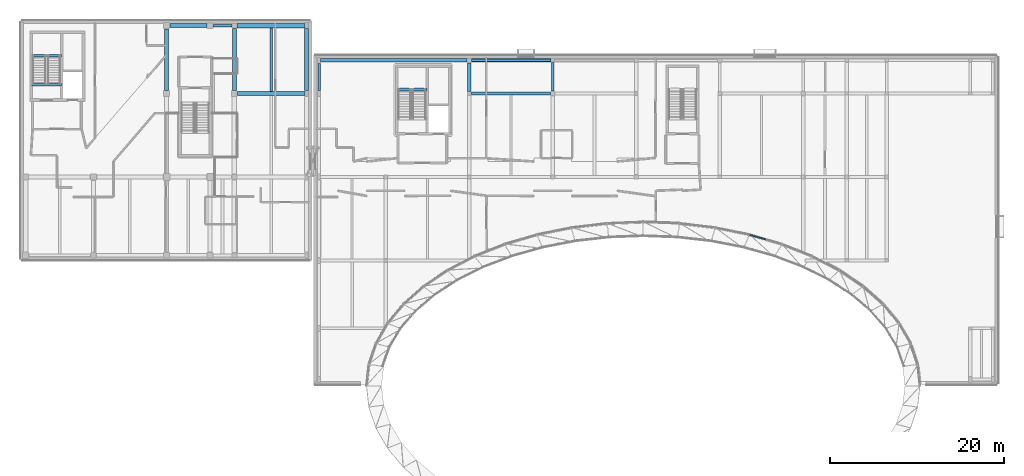
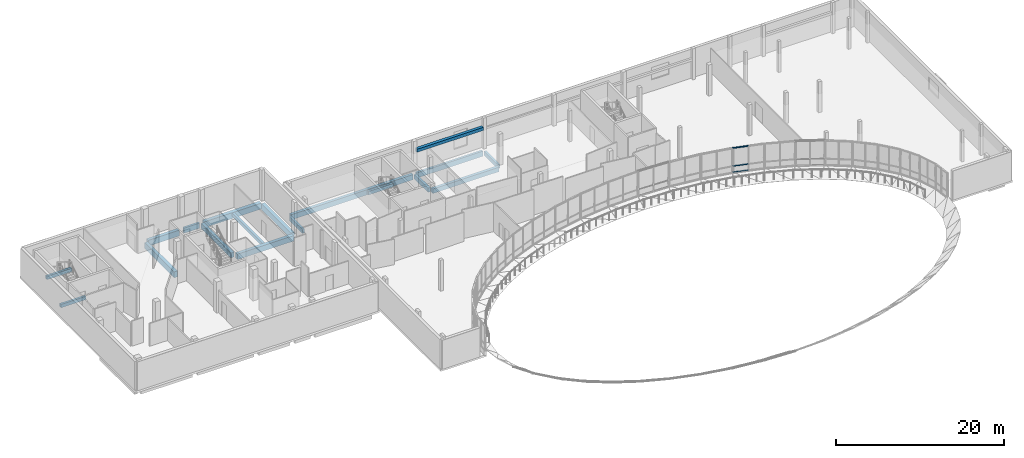
# One storey, part 12 of 41: 18 beams, 3 members, 1 element without a shape of its own.
"""IFC4 building model written with IfcOpenShell, lengths in metres."""

from ifc_helpers import new_model, si_unit, direction, frame, origin, origin_2d, place, context, subcontext, project, spatial, rectangle, extrude, material, material_profile, profile_set, type_object, element, aggregate, save


model = new_model("IFC4")

# Units and contexts
model_context = context("Model", 3, precision=1e-05, world=origin(), true_north=direction((0.0, 1.0)))
body_context = subcontext(model_context, "Body", "Model", "MODEL_VIEW")
ifc_project = project(units=[si_unit("LENGTHUNIT", "METRE"), si_unit("AREAUNIT", "SQUARE_METRE"), si_unit("VOLUMEUNIT", "CUBIC_METRE"), si_unit("PLANEANGLEUNIT", "RADIAN"), si_unit("MASSUNIT", "GRAM", prefix="KILO")], contexts=[model_context])

# Site, building, storey
site_placement = place(None, origin())
site = spatial("IfcSite", under=ifc_project, at=site_placement, CompositionType="ELEMENT")
building_placement = place(site_placement, origin())
building = spatial("IfcBuilding", under=site, at=building_placement, Name="Mzevani Central Library", CompositionType="ELEMENT")
storey_placement = place(building_placement, frame((0.0, 0.0, 13.800048828125)))
storey = spatial("IfcBuildingStorey", under=building, at=storey_placement, Name="L03", CompositionType="ELEMENT", Elevation=13.800048828125)

# Beams
ifc_material_1 = material(Name="Concrete C35/45", Category="concrete")
ifc_material_profile_1 = material_profile(ifc_material_1, rectangle(XDim=0.300048828125, YDim=0.5, at=origin_2d()), Name="RC B300x500")
ifc_profile_set_1 = profile_set([ifc_material_profile_1], Name="Concrete C35/45")
beam_type_1 = type_object("IfcBeamType", Name="Beam RC 300x500", PredefinedType="BEAM", material=ifc_profile_set_1)
for number, where, z_axis, x_axis, name in (
    (1, (13.679931640625, 113.9599609375, 1.800048828125), (1.0, 0.0, 0.0), (0.0, 1.0, 0.0), "L03 Core C2A North-West Firefighting Core Stair Landing Beam 1"),
    (2, (13.679931640625, 110.60009765625, -0.25), (1.0, 0.0, 0.0), (0.0, 1.0, 0.0), "L03 Core C2A North-West Firefighting Core Stair Opening Trimmer Beam"),
    (3, (55.679931640625, 110.06005859375, 1.800048828125), (1.0, 0.0, 0.0), (0.0, 1.0, 0.0), "L03 Core C3A North-East Firefighting Core Stair Landing Beam 1"),
):
    element("IfcBeam", number, at=place(storey_placement, frame(where, z_axis=z_axis, x_axis=x_axis)), inside=storey, type_object=beam_type_1, Name=name, PredefinedType="BEAM", context=body_context, shape_type="SweptSolid", body=[
        extrude(rectangle(XDim=0.300048828125, YDim=0.5, at=origin_2d()), origin(), (0.0, 0.0, 1.0), 3.440185546875),
    ])
ifc_material_profile_2 = material_profile(ifc_material_1, rectangle(XDim=0.300048828125, YDim=0.550048828125, at=origin_2d()), Name="RC B300x550")
ifc_profile_set_2 = profile_set([ifc_material_profile_2], Name="Concrete C35/45")
beam_type_2 = type_object("IfcBeamType", Name="Beam RC 300x550", PredefinedType="BEAM", material=ifc_profile_set_2)
beam_1_placement = place(storey_placement, frame((73.60009765625, 109.875, -0.554931640625), z_axis=(0.0, 1.0, 0.0), x_axis=(-1.0, 0.0, 0.0)))
element("IfcBeam", 4, at=beam_1_placement, inside=storey, type_object=beam_type_2, Name="L03 V3 Frame Beam B-02 (673)", PredefinedType="BEAM", context=body_context, shape_type="SweptSolid", body=[
    extrude(rectangle(XDim=0.300048828125, YDim=0.550048828125, at=origin_2d()), origin(), (0.0, 0.0, 1.0), 3.300048828125),
])
ifc_material_profile_3 = material_profile(ifc_material_1, rectangle(XDim=0.300048828125, YDim=0.60009765625, at=origin_2d()), Name="RC B300x600")
ifc_profile_set_3 = profile_set([ifc_material_profile_3], Name="Concrete C35/45")
beam_type_3 = type_object("IfcBeamType", Name="Beam RC 300x600", PredefinedType="BEAM", material=ifc_profile_set_3)
beam_2_placement = place(storey_placement, frame((46.75, 109.949951171875, -0.580078125), z_axis=(0.0, 1.0, 0.0), x_axis=(-1.0, 0.0, 0.0)))
element("IfcBeam", 5, at=beam_2_placement, inside=storey, type_object=beam_type_3, Name="L03 V3 Frame Beam B-03 (666)", PredefinedType="BEAM", context=body_context, shape_type="SweptSolid", body=[
    extrude(rectangle(XDim=0.300048828125, YDim=0.60009765625, at=origin_2d()), origin(), (0.0, 0.0, 1.0), 3.10009765625),
])
ifc_material_profile_4 = material_profile(ifc_material_1, rectangle(XDim=0.35009765625, YDim=0.60009765625, at=origin_2d()), Name="RC B350x600")
ifc_profile_set_4 = profile_set([ifc_material_profile_4], Name="Concrete C35/45")
beam_type_4 = type_object("IfcBeamType", Name="Beam RC 350x600", PredefinedType="BEAM", material=ifc_profile_set_4)
beam_3_placement = place(storey_placement, frame((64.0, 109.85009765625, -0.580078125), z_axis=(0.0, 1.0, 0.0), x_axis=(-1.0, 0.0, 0.0)))
element("IfcBeam", 6, at=beam_3_placement, inside=storey, type_object=beam_type_4, Name="L03 V3 Frame Beam B-04 (671)", PredefinedType="BEAM", context=body_context, shape_type="SweptSolid", body=[
    extrude(rectangle(XDim=0.35009765625, YDim=0.60009765625, at=origin_2d()), origin(), (0.0, 0.0, 1.0), 3.27490234375),
])
ifc_material_profile_5 = material_profile(ifc_material_1, rectangle(XDim=0.39990234375, YDim=0.64990234375, at=origin_2d()), Name="RC B400x650")
ifc_profile_set_5 = profile_set([ifc_material_profile_5], Name="Concrete C35/45")
beam_type_5 = type_object("IfcBeamType", Name="Beam RC 400x650", PredefinedType="BEAM", material=ifc_profile_set_5)
beam_4_placement = place(storey_placement, frame((64.25, 109.60009765625, -0.60498046875), z_axis=(1.0, 0.0, 0.0), x_axis=(0.0, 1.0, 0.0)))
element("IfcBeam", 7, at=beam_4_placement, inside=storey, type_object=beam_type_5, Name="L03 V3 Girder B-07 (646)", PredefinedType="BEAM", context=body_context, shape_type="SweptSolid", body=[
    extrude(rectangle(XDim=0.39990234375, YDim=0.64990234375, at=origin_2d()), origin(), (0.0, 0.0, 1.0), 9.074951171875),
])
ifc_material_profile_6 = material_profile(ifc_material_1, rectangle(XDim=0.39990234375, YDim=0.75, at=origin_2d()), Name="RC B400x750")
ifc_profile_set_6 = profile_set([ifc_material_profile_6], Name="Concrete C35/45")
beam_type_6 = type_object("IfcBeamType", Name="Beam RC 400x750", PredefinedType="BEAM", material=ifc_profile_set_6)
beam_5_placement = place(storey_placement, frame((46.925048828125, 113.39990234375, -0.655029296875), z_axis=(1.0, 0.0, 0.0), x_axis=(0.0, 1.0, 0.0)))
element("IfcBeam", 8, at=beam_5_placement, inside=storey, type_object=beam_type_6, Name="L03 V3 Girder B-09 (653)", PredefinedType="BEAM", context=body_context, shape_type="SweptSolid", body=[
    extrude(rectangle(XDim=0.39990234375, YDim=0.75, at=origin_2d()), origin(), (0.0, 0.0, 1.0), 16.800048828125),
])

# Curtain wall, members
ifc_material_2 = material(Name="Thermally broken aluminium and Low-E triple glazing", Category="aluminium")
curtain_wall_type = type_object("IfcCurtainWallType", Name="Elliptical Court Unitised Curtain Wall", PredefinedType="NOTDEFINED", material=ifc_material_2)
curtain_wall_placement = place(storey_placement, origin())
curtain_wall = element("IfcCurtainWall", 9, at=curtain_wall_placement, inside=storey, type_object=curtain_wall_type, Name="L03 Elliptical Court Curtain Wall 9", PredefinedType="NOTDEFINED")
ifc_material_3 = material(Name="Thermally broken aluminium AW-6060", Category="aluminium")
ifc_material_profile_7 = material_profile(ifc_material_3, rectangle(XDim=0.14990234375, YDim=0.06005859375, at=origin_2d()), Name="ALU T60x150")
ifc_profile_set_7 = profile_set([ifc_material_profile_7], Name="Thermally broken aluminium AW-6060")
member_type = type_object("IfcMemberType", Name="CW Transom 60x150", PredefinedType="USERDEFINED", material=ifc_profile_set_7)
member_1_placement = place(storey_placement, frame((98.087646484375, 92.82568359375, 0.719970703125), z_axis=(-0.960292683512, 0.278994555489, 0.0), x_axis=(-0.278994555489, -0.960292683512, 0.0)))
member_1 = element("IfcMember", 10, at=member_1_placement, type_object=member_type, Name="L03 Elliptical Court Curtain Wall 9 Transom 4", ObjectType="TRANSOM", PredefinedType="USERDEFINED", context=body_context, shape_type="SweptSolid", body=[
    extrude(rectangle(XDim=0.14990234375, YDim=0.06005859375, at=origin_2d()), origin(), (0.0, 0.0, 1.0), 1.930419921875),
])
member_2_placement = place(storey_placement, frame((98.087646484375, 92.82568359375, 1.619873046875), z_axis=(-0.960292683512, 0.278994555489, 0.0), x_axis=(-0.278994555489, -0.960292683512, 0.0)))
member_2 = element("IfcMember", 11, at=member_2_placement, type_object=member_type, Name="L03 Elliptical Court Curtain Wall 9 Transom 5", ObjectType="TRANSOM", PredefinedType="USERDEFINED", context=body_context, shape_type="SweptSolid", body=[
    extrude(rectangle(XDim=0.14990234375, YDim=0.06005859375, at=origin_2d()), origin(), (0.0, 0.0, 1.0), 1.930419921875),
])
member_3_placement = place(storey_placement, frame((98.087646484375, 92.82568359375, 4.219970703125), z_axis=(-0.960292683512, 0.278994555489, 0.0), x_axis=(-0.278994555489, -0.960292683512, 0.0)))
member_3 = element("IfcMember", 12, at=member_3_placement, type_object=member_type, Name="L03 Elliptical Court Curtain Wall 9 Transom 6", ObjectType="TRANSOM", PredefinedType="USERDEFINED", context=body_context, shape_type="SweptSolid", body=[
    extrude(rectangle(XDim=0.14990234375, YDim=0.06005859375, at=origin_2d()), origin(), (0.0, 0.0, 1.0), 1.930419921875),
])
aggregate(curtain_wall, [member_1, member_2, member_3])

# Beams
ifc_material_4 = material(Name="Precast concrete C40/50", Category="concrete")
ifc_material_profile_8 = material_profile(ifc_material_4, rectangle(XDim=0.300048828125, YDim=0.75, at=origin_2d()), Name="RC SP300x750")
ifc_profile_set_8 = profile_set([ifc_material_profile_8], Name="Precast concrete C40/50")
beam_type_7 = type_object("IfcBeamType", Name="Edge Spandrel Beam RC 300x750", PredefinedType="SPANDREL", material=ifc_profile_set_8)
beam_6_placement = place(storey_placement, frame((34.550048828125, 117.39990234375, -0.695068359375), z_axis=(1.0, 0.0, 0.0), x_axis=(0.0, 1.0, 0.0)))
element("IfcBeam", 13, at=beam_6_placement, inside=storey, type_object=beam_type_7, Name="L03 V2 Girder SP-01 (354)", PredefinedType="SPANDREL", context=body_context, shape_type="SweptSolid", body=[
    extrude(rectangle(XDim=0.300048828125, YDim=0.75, at=origin_2d()), origin(), (0.0, 0.0, 1.0), 2.14990234375),
])
beam_7_placement = place(storey_placement, frame((64.27490234375, 113.39990234375, -0.655029296875), z_axis=(1.0, 0.0, 0.0), x_axis=(0.0, 1.0, 0.0)))
element("IfcBeam", 14, at=beam_7_placement, inside=storey, type_object=beam_type_7, Name="L03 V3 Girder SP-01 (654)", PredefinedType="SPANDREL", context=body_context, shape_type="SweptSolid", body=[
    extrude(rectangle(XDim=0.300048828125, YDim=0.75, at=origin_2d()), origin(), (0.0, 0.0, 1.0), 9.10009765625),
])
ifc_material_profile_9 = material_profile(ifc_material_4, rectangle(XDim=0.39990234375, YDim=0.449951171875, at=origin_2d()), Name="PC LN400x450")
ifc_profile_set_9 = profile_set([ifc_material_profile_9], Name="Precast concrete C40/50")
beam_type_8 = type_object("IfcBeamType", Name="Precast Portal Lintel 400x450", PredefinedType="LINTEL", material=ifc_profile_set_9)
beam_8_placement = place(storey_placement, frame((64.25, 113.39990234375, 2.974853515625), z_axis=(1.0, 0.0, 0.0), x_axis=(0.0, 1.0, 0.0)))
element("IfcBeam", 15, at=beam_8_placement, inside=storey, type_object=beam_type_8, Name="L03 V3 Precast Portal Lintel (54)", PredefinedType="LINTEL", context=body_context, shape_type="SweptSolid", body=[
    extrude(rectangle(XDim=0.39990234375, YDim=0.449951171875, at=origin_2d()), origin(), (0.0, 0.0, 1.0), 9.14990234375),
])
ifc_material_5 = material(Name="Concrete C40/50", Category="concrete")
ifc_material_profile_10 = material_profile(ifc_material_5, rectangle(XDim=0.449951171875, YDim=0.699951171875, at=origin_2d()), Name="RC B450x700")
ifc_profile_set_10 = profile_set([ifc_material_profile_10], Name="Concrete C40/50")
beam_type_9 = type_object("IfcBeamType", Name="Stack Girder RC 450x700", PredefinedType="BEAM", material=ifc_profile_set_10)
beam_9_placement = place(storey_placement, frame((37.0, 109.949951171875, -0.670166015625), z_axis=(0.0, 1.0, 0.0), x_axis=(-1.0, 0.0, 0.0)))
element("IfcBeam", 16, at=beam_9_placement, inside=storey, type_object=beam_type_9, Name="L03 V2 Frame Beam BG-01 (364)", PredefinedType="BEAM", context=body_context, shape_type="SweptSolid", body=[
    extrude(rectangle(XDim=0.449951171875, YDim=0.699951171875, at=origin_2d()), origin(), (0.0, 0.0, 1.0), 7.150146484375),
])
ifc_material_profile_11 = material_profile(ifc_material_5, rectangle(XDim=0.449951171875, YDim=0.800048828125, at=origin_2d()), Name="RC B450x800")
ifc_profile_set_11 = profile_set([ifc_material_profile_11], Name="Concrete C40/50")
beam_type_10 = type_object("IfcBeamType", Name="Stack Girder RC 450x800", PredefinedType="BEAM", material=ifc_profile_set_11)
beam_10_placement = place(storey_placement, frame((37.35009765625, 109.60009765625, -0.719970703125), z_axis=(1.0, 0.0, 0.0), x_axis=(0.0, 1.0, 0.0)))
element("IfcBeam", 17, at=beam_10_placement, inside=storey, type_object=beam_type_10, Name="L03 V2 Girder BG-03 (352)", PredefinedType="BEAM", context=body_context, shape_type="SweptSolid", body=[
    extrude(rectangle(XDim=0.449951171875, YDim=0.800048828125, at=origin_2d()), origin(), (0.0, 0.0, 1.0), 7.77490234375),
])
ifc_material_profile_12 = material_profile(ifc_material_5, rectangle(XDim=0.449951171875, YDim=0.85009765625, at=origin_2d()), Name="RC B450x850")
ifc_profile_set_12 = profile_set([ifc_material_profile_12], Name="Concrete C40/50")
beam_type_11 = type_object("IfcBeamType", Name="Stack Girder RC 450x850", PredefinedType="BEAM", material=ifc_profile_set_12)
beam_11_placement = place(storey_placement, frame((29.574951171875, 117.39990234375, -0.7451171875), z_axis=(1.0, 0.0, 0.0), x_axis=(0.0, 1.0, 0.0)))
element("IfcBeam", 18, at=beam_11_placement, inside=storey, type_object=beam_type_11, Name="L03 V2 Girder BG-04 (353)", PredefinedType="BEAM", context=body_context, shape_type="SweptSolid", body=[
    extrude(rectangle(XDim=0.449951171875, YDim=0.85009765625, at=origin_2d()), origin(), (0.0, 0.0, 1.0), 4.275146484375),
])
beam_12_placement = place(storey_placement, frame((29.199951171875, 109.949951171875, -0.7451171875), z_axis=(0.0, 1.0, 0.0), x_axis=(-1.0, 0.0, 0.0)))
element("IfcBeam", 19, at=beam_12_placement, inside=storey, type_object=beam_type_11, Name="L03 V2 Frame Beam BG-04 (360)", PredefinedType="BEAM", context=body_context, shape_type="SweptSolid", body=[
    extrude(rectangle(XDim=0.449951171875, YDim=0.85009765625, at=origin_2d()), origin(), (0.0, 0.0, 1.0), 7.074951171875),
])
beam_13_placement = place(storey_placement, frame((45.300048828125, 109.949951171875, -0.7451171875), z_axis=(0.0, 1.0, 0.0), x_axis=(-1.0, 0.0, 0.0)))
element("IfcBeam", 20, at=beam_13_placement, inside=storey, type_object=beam_type_11, Name="L03 V2 Frame Beam BG-04 (367)", PredefinedType="BEAM", context=body_context, shape_type="SweptSolid", body=[
    extrude(rectangle(XDim=0.449951171875, YDim=0.85009765625, at=origin_2d()), origin(), (0.0, 0.0, 1.0), 7.10009765625),
])
ifc_material_profile_13 = material_profile(ifc_material_5, rectangle(XDim=0.5, YDim=0.85009765625, at=origin_2d()), Name="RC B500x850")
ifc_profile_set_13 = profile_set([ifc_material_profile_13], Name="Concrete C40/50")
beam_type_12 = type_object("IfcBeamType", Name="Stack Girder RC 500x850", PredefinedType="BEAM", material=ifc_profile_set_13)
beam_14_placement = place(storey_placement, frame((37.300048828125, 117.39990234375, -0.7451171875), z_axis=(1.0, 0.0, 0.0), x_axis=(0.0, 1.0, 0.0)))
element("IfcBeam", 21, at=beam_14_placement, inside=storey, type_object=beam_type_12, Name="L03 V2 Girder BG-06 (355)", PredefinedType="BEAM", context=body_context, shape_type="SweptSolid", body=[
    extrude(rectangle(XDim=0.5, YDim=0.85009765625, at=origin_2d()), origin(), (0.0, 0.0, 1.0), 7.824951171875),
])
ifc_material_profile_14 = material_profile(ifc_material_5, rectangle(XDim=0.300048828125, YDim=0.52001953125, at=origin_2d()), Name="RC J300x520")
ifc_profile_set_14 = profile_set([ifc_material_profile_14], Name="Concrete C40/50")
beam_type_13 = type_object("IfcBeamType", Name="Stack Joist RC 300x520", PredefinedType="JOIST", material=ifc_profile_set_14)
beam_15_placement = place(storey_placement, frame((41.237548828125, 109.824951171875, -0.580078125), z_axis=(0.0, 1.0, 0.0), x_axis=(-1.0, 0.0, 0.0)))
element("IfcBeam", 22, at=beam_15_placement, inside=storey, type_object=beam_type_13, Name="L03 V2 Floor Joist BJ-04 (374)", PredefinedType="JOIST", context=body_context, shape_type="SweptSolid", body=[
    extrude(rectangle(XDim=0.300048828125, YDim=0.52001953125, at=origin_2d()), origin(), (0.0, 0.0, 1.0), 7.324951171875),
])

save(model, "model.ifc")
